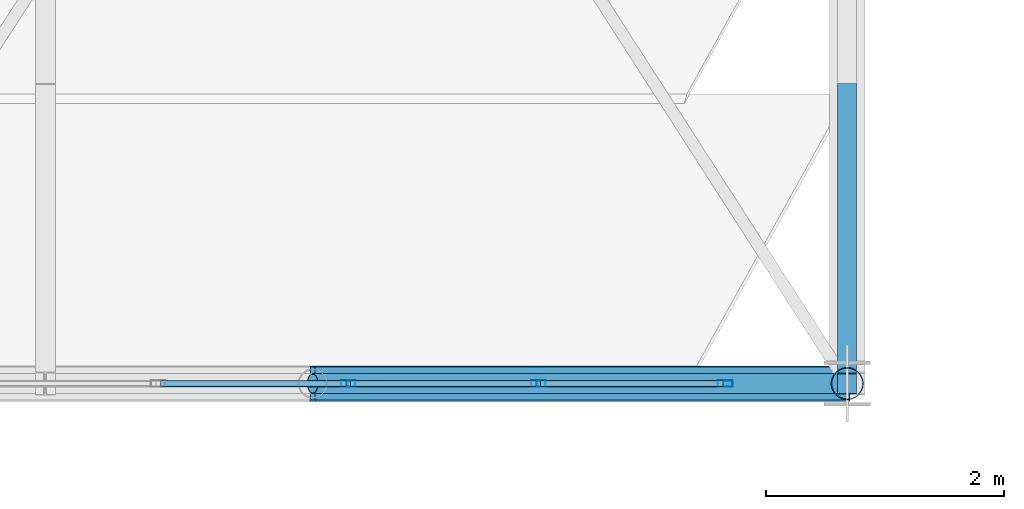
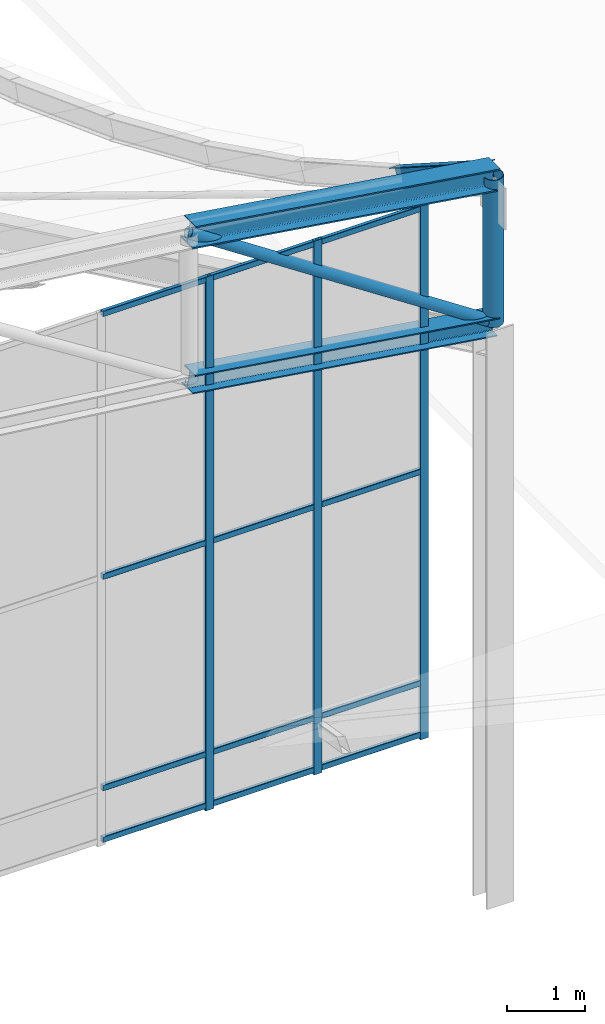
# One storey, part 152 of 262: 20 members, 1 element without a shape of its own.
"""IFC4 building model written with IfcOpenShell, lengths in metres."""

from ifc_helpers import new_model, si_unit, derived_unit, direction, frame, origin, origin_2d, place, context, subcontext, project, spatial, hollow_rectangle, hollow_circle, i_section, extrude, material, layer, layer_set, material_profile, profile_set, type_object, element, aggregate, save


model = new_model("IFC4")

# Units and contexts
model_context = context("Model", 3, precision=1e-05, world=origin(), true_north=direction((0.0, 1.0)))
body_context = subcontext(model_context, "Body", "Model", "MODEL_VIEW")
ifc_project = project(units=[si_unit("LENGTHUNIT", "METRE"), si_unit("AREAUNIT", "SQUARE_METRE"), si_unit("VOLUMEUNIT", "CUBIC_METRE"), si_unit("PLANEANGLEUNIT", "RADIAN"), si_unit("MASSUNIT", "GRAM", prefix="KILO"), derived_unit("THERMALTRANSMITTANCEUNIT", [(si_unit("POWERUNIT", "WATT"), 1), (si_unit("LENGTHUNIT", "METRE"), -2), (si_unit("THERMODYNAMICTEMPERATUREUNIT", "KELVIN"), -1)])], contexts=[model_context])

# Site, building, storey
site_placement = place(None, origin())
site = spatial("IfcSite", under=ifc_project, at=site_placement, CompositionType="ELEMENT")
building_placement = place(site_placement, origin())
building = spatial("IfcBuilding", under=site, at=building_placement, Name="Almenara Railside Exhibition Hall", CompositionType="ELEMENT")
storey_placement = place(building_placement, frame((0.0, 0.0, 21.699951171875)))
storey = spatial("IfcBuildingStorey", under=building, at=storey_placement, Name="RF", CompositionType="ELEMENT", Elevation=21.699951171875)

# Members
ifc_material_1 = material(Name="Structural steel S355JR", Category="steel")
ifc_material_profile_1 = material_profile(ifc_material_1, i_section(OverallWidth=0.280029296875, OverallDepth=0.280029296875, WebThickness=0.010498046875, FlangeThickness=0.01806640625, FilletRadius=0.02392578125, at=origin_2d()), Name="HEB 280")
ifc_profile_set_1 = profile_set([ifc_material_profile_1], Name="Structural steel S355JR")
member_type_1 = type_object("IfcMemberType", Name="Arched Gable Bottom Chord HEB 280 S355JR", PredefinedType="CHORD", material=ifc_profile_set_1)
member_1_placement = place(storey_placement, frame((187.5, 34.0, 0.072265625), z_axis=(0.9890290442, 0.0, -0.147721189165), x_axis=(0.0, 1.0, 0.0)))
element("IfcMember", 1, at=member_1_placement, inside=storey, type_object=member_type_1, Name="MEM-BC-V2-00-11", PredefinedType="CHORD", context=body_context, shape_type="SweptSolid", body=[
    extrude(i_section(OverallWidth=0.280029296875, OverallDepth=0.280029296875, WebThickness=0.010498046875, FlangeThickness=0.01806640625, FilletRadius=0.02392578125, at=origin_2d()), origin(), (0.0, 0.0, 1.0), 4.5498046875),
])
ifc_material_profile_2 = material_profile(ifc_material_1, i_section(OverallWidth=0.300048828125, OverallDepth=0.340087890625, WebThickness=0.011962890625, FlangeThickness=0.021484375, FilletRadius=0.027099609375, at=origin_2d()), Name="HEB 340")
ifc_profile_set_2 = profile_set([ifc_material_profile_2], Name="Structural steel S355JR")
member_type_2 = type_object("IfcMemberType", Name="Arched Gable Top Chord HEB 340 S355JR", PredefinedType="CHORD", material=ifc_profile_set_2)
member_2_placement = place(storey_placement, frame((187.5, 34.0, 2.372314453125), z_axis=(0.989021203369, 0.0, -0.147773675894), x_axis=(0.0, 1.0, 0.0)))
element("IfcMember", 2, at=member_2_placement, inside=storey, type_object=member_type_2, Name="MEM-TC-V2-00-11", PredefinedType="CHORD", context=body_context, shape_type="SweptSolid", body=[
    extrude(i_section(OverallWidth=0.300048828125, OverallDepth=0.340087890625, WebThickness=0.011962890625, FlangeThickness=0.021484375, FilletRadius=0.027099609375, at=origin_2d()), origin(), (0.0, 0.0, 1.0), 4.550048828125),
])

# Curtain wall, members
ifc_material_2 = material(Name="Bronze-anodised aluminium and low-E double glazing", Category="aluminium")
ifc_layer = layer(ifc_material_2, 0.179931640625, Name="Bronze-anodised aluminium and low-E double glazing")
ifc_layer_set = layer_set([ifc_layer], Name="Bronze-anodised aluminium and low-E double glazing")
curtain_wall_type = type_object("IfcCurtainWallType", Name="Scroll Gable Standard Curtain Wall 3600x5000", PredefinedType="NOTDEFINED", material=ifc_layer_set)
curtain_wall_placement = place(storey_placement, origin())
curtain_wall = element("IfcCurtainWall", 3, at=curtain_wall_placement, inside=storey, type_object=curtain_wall_type, Name="Curtain wall CW-G2-215", PredefinedType="NOTDEFINED")
ifc_material_3 = material(Name="Bronze-anodised aluminium", Category="aluminium")
ifc_material_profile_3 = material_profile(ifc_material_3, hollow_rectangle(XDim=0.054931640625, YDim=0.125, WallThickness=0.0029296875, InnerFilletRadius=0.0029296875, OuterFilletRadius=0.006103515625, at=origin_2d()), Name="ALU-MUL 55x125x3")
ifc_profile_set_3 = profile_set([ifc_material_profile_3], Name="Bronze-anodised aluminium")
member_type_3 = type_object("IfcMemberType", Name="Curtain Wall Mullion 55x125x3", PredefinedType="MULLION", material=ifc_profile_set_3)
member_3_placement = place(storey_placement, frame((187.800048828125, 34.0, -6.73486328125), z_axis=(0.0, 0.0, 1.0), x_axis=(0.0, 1.0, 0.0)))
member_3 = element("IfcMember", 4, at=member_3_placement, type_object=member_type_3, Name="CW-G2-215 mullion 3", PredefinedType="MULLION", context=body_context, shape_type="SweptSolid", body=[
    extrude(hollow_rectangle(XDim=0.054931640625, YDim=0.125, WallThickness=0.0029296875, InnerFilletRadius=0.0029296875, OuterFilletRadius=0.006103515625, at=origin_2d()), origin(), (0.0, 0.0, 1.0), 8.3349609375),
])
member_4_placement = place(storey_placement, frame((189.39990234375, 34.0, -6.73486328125), z_axis=(0.0, 0.0, 1.0), x_axis=(0.0, 1.0, 0.0)))
member_4 = element("IfcMember", 5, at=member_4_placement, type_object=member_type_3, Name="CW-G2-215 mullion 4", PredefinedType="MULLION", context=body_context, shape_type="SweptSolid", body=[
    extrude(hollow_rectangle(XDim=0.054931640625, YDim=0.125, WallThickness=0.0029296875, InnerFilletRadius=0.0029296875, OuterFilletRadius=0.006103515625, at=origin_2d()), origin(), (0.0, 0.0, 1.0), 8.3349609375),
])
member_5_placement = place(storey_placement, frame((190.972412109375, 34.0, -6.73486328125), z_axis=(0.0, 0.0, 1.0), x_axis=(0.0, 1.0, 0.0)))
member_5 = element("IfcMember", 6, at=member_5_placement, type_object=member_type_3, Name="CW-G2-215 mullion 5", PredefinedType="MULLION", context=body_context, shape_type="SweptSolid", body=[
    extrude(hollow_rectangle(XDim=0.054931640625, YDim=0.125, WallThickness=0.0029296875, InnerFilletRadius=0.0029296875, OuterFilletRadius=0.006103515625, at=origin_2d()), origin(), (0.0, 0.0, 1.0), 8.3349609375),
])
ifc_material_profile_4 = material_profile(ifc_material_3, hollow_rectangle(XDim=0.054931640625, YDim=0.090087890625, WallThickness=0.0029296875, InnerFilletRadius=0.0029296875, OuterFilletRadius=0.006103515625, at=origin_2d()), Name="ALU-TRN 55x90x3")
ifc_profile_set_4 = profile_set([ifc_material_profile_4], Name="Bronze-anodised aluminium")
member_type_4 = type_object("IfcMemberType", Name="Curtain Wall Transom 55x90x3", PredefinedType="USERDEFINED", material=ifc_profile_set_4)
member_6_placement = place(storey_placement, frame((186.219482421875, 34.0, -6.655029296875), z_axis=(1.0, 0.0, 0.0), x_axis=(0.0, 1.0, 0.0)))
member_6 = element("IfcMember", 7, at=member_6_placement, type_object=member_type_4, Name="CW-G2-215 transom 2.1", ObjectType="TRANSOM", PredefinedType="USERDEFINED", context=body_context, shape_type="SweptSolid", body=[
    extrude(hollow_rectangle(XDim=0.054931640625, YDim=0.090087890625, WallThickness=0.0029296875, InnerFilletRadius=0.0029296875, OuterFilletRadius=0.006103515625, at=origin_2d()), origin(), (0.0, 0.0, 1.0), 1.56103515625),
])
member_7_placement = place(storey_placement, frame((186.219482421875, 34.0, -5.849853515625), z_axis=(1.0, 0.0, 0.0), x_axis=(0.0, 1.0, 0.0)))
member_7 = element("IfcMember", 8, at=member_7_placement, type_object=member_type_4, Name="CW-G2-215 transom 2.2", ObjectType="TRANSOM", PredefinedType="USERDEFINED", context=body_context, shape_type="SweptSolid", body=[
    extrude(hollow_rectangle(XDim=0.054931640625, YDim=0.090087890625, WallThickness=0.0029296875, InnerFilletRadius=0.0029296875, OuterFilletRadius=0.006103515625, at=origin_2d()), origin(), (0.0, 0.0, 1.0), 1.56103515625),
])
member_8_placement = place(storey_placement, frame((186.219482421875, 34.0, -2.550048828125), z_axis=(1.0, 0.0, 0.0), x_axis=(0.0, 1.0, 0.0)))
member_8 = element("IfcMember", 9, at=member_8_placement, type_object=member_type_4, Name="CW-G2-215 transom 2.3", ObjectType="TRANSOM", PredefinedType="USERDEFINED", context=body_context, shape_type="SweptSolid", body=[
    extrude(hollow_rectangle(XDim=0.054931640625, YDim=0.090087890625, WallThickness=0.0029296875, InnerFilletRadius=0.0029296875, OuterFilletRadius=0.006103515625, at=origin_2d()), origin(), (0.0, 0.0, 1.0), 1.56103515625),
])
member_9_placement = place(storey_placement, frame((186.219482421875, 34.0, 1.554931640625), z_axis=(1.0, 0.0, 0.0), x_axis=(0.0, 1.0, 0.0)))
member_9 = element("IfcMember", 10, at=member_9_placement, type_object=member_type_4, Name="CW-G2-215 transom 2.4", ObjectType="TRANSOM", PredefinedType="USERDEFINED", context=body_context, shape_type="SweptSolid", body=[
    extrude(hollow_rectangle(XDim=0.054931640625, YDim=0.090087890625, WallThickness=0.0029296875, InnerFilletRadius=0.0029296875, OuterFilletRadius=0.006103515625, at=origin_2d()), origin(), (0.0, 0.0, 1.0), 1.56103515625),
])
member_10_placement = place(storey_placement, frame((187.819580078125, 34.0, -6.655029296875), z_axis=(1.0, 0.0, 0.0), x_axis=(0.0, 1.0, 0.0)))
member_10 = element("IfcMember", 11, at=member_10_placement, type_object=member_type_4, Name="CW-G2-215 transom 3.1", ObjectType="TRANSOM", PredefinedType="USERDEFINED", context=body_context, shape_type="SweptSolid", body=[
    extrude(hollow_rectangle(XDim=0.054931640625, YDim=0.090087890625, WallThickness=0.0029296875, InnerFilletRadius=0.0029296875, OuterFilletRadius=0.006103515625, at=origin_2d()), origin(), (0.0, 0.0, 1.0), 1.56103515625),
])
member_11_placement = place(storey_placement, frame((187.819580078125, 34.0, -5.849853515625), z_axis=(1.0, 0.0, 0.0), x_axis=(0.0, 1.0, 0.0)))
member_11 = element("IfcMember", 12, at=member_11_placement, type_object=member_type_4, Name="CW-G2-215 transom 3.2", ObjectType="TRANSOM", PredefinedType="USERDEFINED", context=body_context, shape_type="SweptSolid", body=[
    extrude(hollow_rectangle(XDim=0.054931640625, YDim=0.090087890625, WallThickness=0.0029296875, InnerFilletRadius=0.0029296875, OuterFilletRadius=0.006103515625, at=origin_2d()), origin(), (0.0, 0.0, 1.0), 1.56103515625),
])
member_12_placement = place(storey_placement, frame((187.819580078125, 34.0, -2.550048828125), z_axis=(1.0, 0.0, 0.0), x_axis=(0.0, 1.0, 0.0)))
member_12 = element("IfcMember", 13, at=member_12_placement, type_object=member_type_4, Name="CW-G2-215 transom 3.3", ObjectType="TRANSOM", PredefinedType="USERDEFINED", context=body_context, shape_type="SweptSolid", body=[
    extrude(hollow_rectangle(XDim=0.054931640625, YDim=0.090087890625, WallThickness=0.0029296875, InnerFilletRadius=0.0029296875, OuterFilletRadius=0.006103515625, at=origin_2d()), origin(), (0.0, 0.0, 1.0), 1.56103515625),
])
member_13_placement = place(storey_placement, frame((187.819580078125, 34.0, 1.554931640625), z_axis=(1.0, 0.0, 0.0), x_axis=(0.0, 1.0, 0.0)))
member_13 = element("IfcMember", 14, at=member_13_placement, type_object=member_type_4, Name="CW-G2-215 transom 3.4", ObjectType="TRANSOM", PredefinedType="USERDEFINED", context=body_context, shape_type="SweptSolid", body=[
    extrude(hollow_rectangle(XDim=0.054931640625, YDim=0.090087890625, WallThickness=0.0029296875, InnerFilletRadius=0.0029296875, OuterFilletRadius=0.006103515625, at=origin_2d()), origin(), (0.0, 0.0, 1.0), 1.56103515625),
])
member_14_placement = place(storey_placement, frame((189.41943359375, 34.0, -6.655029296875), z_axis=(1.0, 0.0, 0.0), x_axis=(0.0, 1.0, 0.0)))
member_14 = element("IfcMember", 15, at=member_14_placement, type_object=member_type_4, Name="CW-G2-215 transom 4.1", ObjectType="TRANSOM", PredefinedType="USERDEFINED", context=body_context, shape_type="SweptSolid", body=[
    extrude(hollow_rectangle(XDim=0.054931640625, YDim=0.090087890625, WallThickness=0.0029296875, InnerFilletRadius=0.0029296875, OuterFilletRadius=0.006103515625, at=origin_2d()), origin(), (0.0, 0.0, 1.0), 1.533447265625),
])
member_15_placement = place(storey_placement, frame((189.41943359375, 34.0, -5.849853515625), z_axis=(1.0, 0.0, 0.0), x_axis=(0.0, 1.0, 0.0)))
member_15 = element("IfcMember", 16, at=member_15_placement, type_object=member_type_4, Name="CW-G2-215 transom 4.2", ObjectType="TRANSOM", PredefinedType="USERDEFINED", context=body_context, shape_type="SweptSolid", body=[
    extrude(hollow_rectangle(XDim=0.054931640625, YDim=0.090087890625, WallThickness=0.0029296875, InnerFilletRadius=0.0029296875, OuterFilletRadius=0.006103515625, at=origin_2d()), origin(), (0.0, 0.0, 1.0), 1.533447265625),
])
member_16_placement = place(storey_placement, frame((189.41943359375, 34.0, -2.550048828125), z_axis=(1.0, 0.0, 0.0), x_axis=(0.0, 1.0, 0.0)))
member_16 = element("IfcMember", 17, at=member_16_placement, type_object=member_type_4, Name="CW-G2-215 transom 4.3", ObjectType="TRANSOM", PredefinedType="USERDEFINED", context=body_context, shape_type="SweptSolid", body=[
    extrude(hollow_rectangle(XDim=0.054931640625, YDim=0.090087890625, WallThickness=0.0029296875, InnerFilletRadius=0.0029296875, OuterFilletRadius=0.006103515625, at=origin_2d()), origin(), (0.0, 0.0, 1.0), 1.533447265625),
])
member_17_placement = place(storey_placement, frame((189.41943359375, 34.0, 1.554931640625), z_axis=(1.0, 0.0, 0.0), x_axis=(0.0, 1.0, 0.0)))
member_17 = element("IfcMember", 18, at=member_17_placement, type_object=member_type_4, Name="CW-G2-215 transom 4.4", ObjectType="TRANSOM", PredefinedType="USERDEFINED", context=body_context, shape_type="SweptSolid", body=[
    extrude(hollow_rectangle(XDim=0.054931640625, YDim=0.090087890625, WallThickness=0.0029296875, InnerFilletRadius=0.0029296875, OuterFilletRadius=0.006103515625, at=origin_2d()), origin(), (0.0, 0.0, 1.0), 1.533447265625),
])
aggregate(curtain_wall, [member_3, member_4, member_5, member_6, member_7, member_8, member_9, member_10, member_11, member_12, member_13, member_14, member_15, member_16, member_17])

# Members
ifc_material_profile_5 = material_profile(ifc_material_1, i_section(OverallWidth=0.159912109375, OverallDepth=0.330078125, WebThickness=0.007568359375, FlangeThickness=0.011474609375, FilletRadius=0.01806640625, at=origin_2d()), Name="IPE 330")
ifc_profile_set_5 = profile_set([ifc_material_profile_5], Name="Structural steel S355JR")
member_type_5 = type_object("IfcMemberType", Name="Gable Bay Purlin IPE 330 S355JR", PredefinedType="PURLIN", material=ifc_profile_set_5)
member_18_placement = place(storey_placement, frame((192.0, 34.0, 1.715576171875), z_axis=(0.0, 0.842226955435, -0.539123135785), x_axis=(-1.0, 0.0, 0.0)))
element("IfcMember", 19, at=member_18_placement, inside=storey, type_object=member_type_5, Name="MEM-PR-V2-PR-IPE330-08-00", PredefinedType="PURLIN", context=body_context, shape_type="SweptSolid", body=[
    extrude(i_section(OverallWidth=0.159912109375, OverallDepth=0.330078125, WebThickness=0.007568359375, FlangeThickness=0.011474609375, FilletRadius=0.01806640625, at=origin_2d()), origin(), (0.0, 0.0, 1.0), 2.893310546875),
])
ifc_material_profile_6 = material_profile(ifc_material_1, hollow_circle(Radius=0.084228515625, WallThickness=0.006103515625, at=origin_2d()), Name="CHS 168.3x6")
ifc_profile_set_6 = profile_set([ifc_material_profile_6], Name="Structural steel S355JR")
member_type_6 = type_object("IfcMemberType", Name="Truss End Diagonal CHS 168.3x6 S355JR", PredefinedType="BRACE", material=ifc_profile_set_6)
member_19_placement = place(storey_placement, frame((187.5, 34.0, 2.372314453125), z_axis=(0.834424544227, 0.0, -0.551122200598), x_axis=(0.0, 1.0, 0.0)))
element("IfcMember", 20, at=member_19_placement, inside=storey, type_object=member_type_6, Name="MEM-TD-V2-00-11", PredefinedType="BRACE", context=body_context, shape_type="SweptSolid", body=[
    extrude(hollow_circle(Radius=0.084228515625, WallThickness=0.006103515625, at=origin_2d()), origin(), (0.0, 0.0, 1.0), 5.392822265625),
])
ifc_material_profile_7 = material_profile(ifc_material_1, hollow_circle(Radius=0.136474609375, WallThickness=0.008056640625, at=origin_2d()), Name="CHS 273x8")
ifc_profile_set_7 = profile_set([ifc_material_profile_7], Name="Structural steel S355JR")
member_type_7 = type_object("IfcMemberType", Name="Truss Support Vertical Strut CHS 273x8 S355JR", PredefinedType="BRACE", material=ifc_profile_set_7)
member_20_placement = place(storey_placement, frame((192.0, 34.0, -0.599853515625), z_axis=(0.0, 0.0, 1.0), x_axis=(1.0, 0.0, 0.0)))
element("IfcMember", 21, at=member_20_placement, inside=storey, type_object=member_type_7, Name="MEM-TV-V2-00-12", PredefinedType="BRACE", context=body_context, shape_type="SweptSolid", body=[
    extrude(hollow_circle(Radius=0.136474609375, WallThickness=0.008056640625, at=origin_2d()), origin(), (0.0, 0.0, 1.0), 2.2998046875),
])

save(model, "model.ifc")
